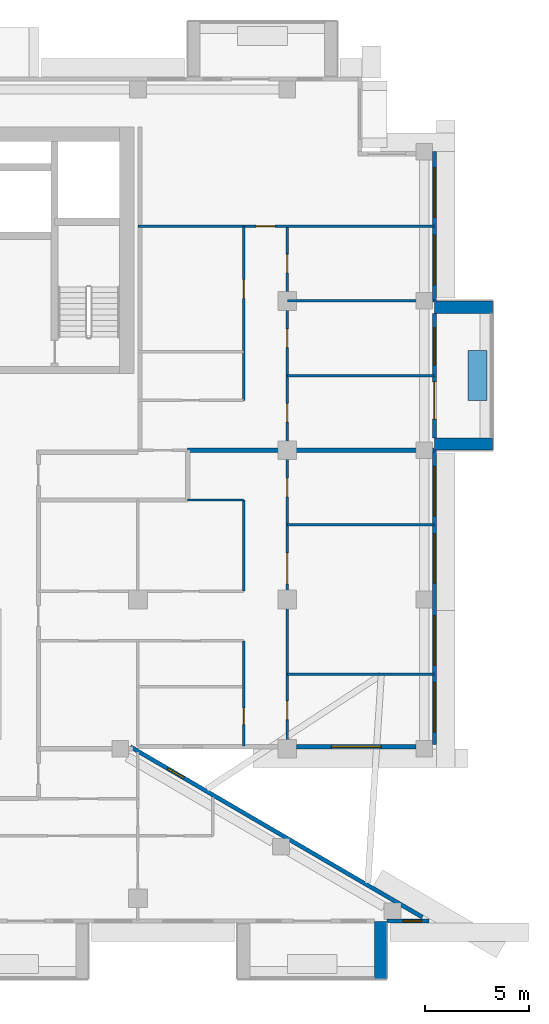
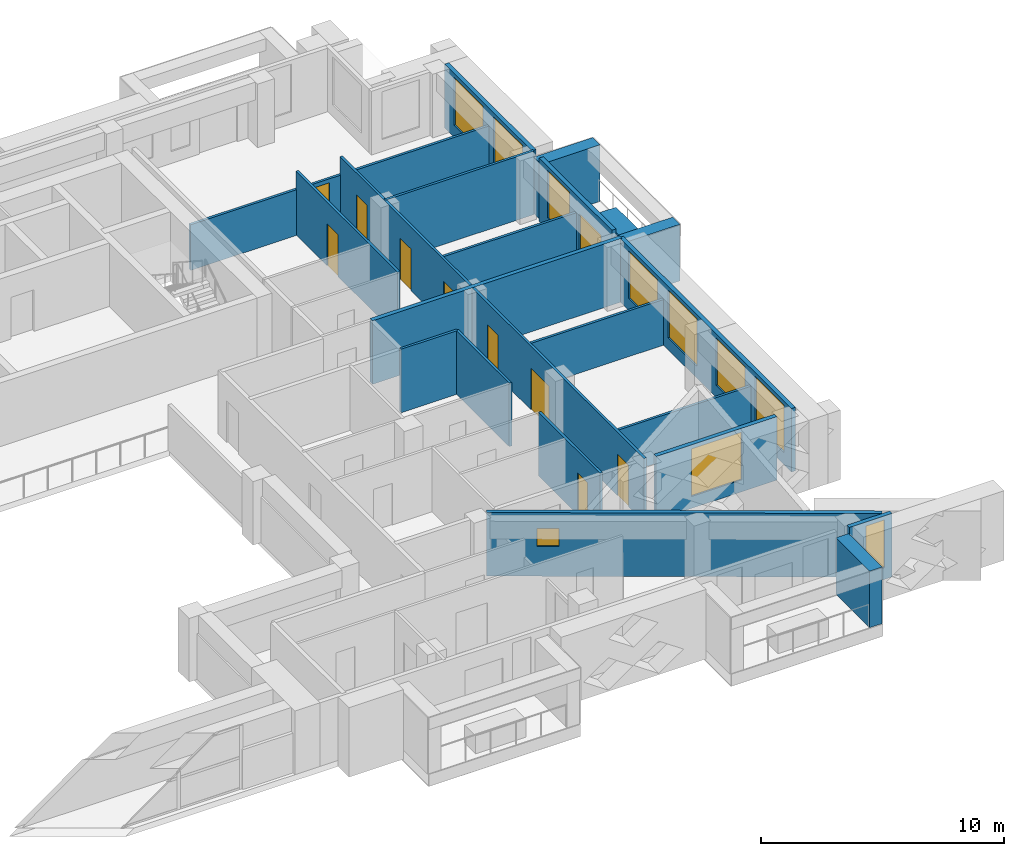
# One storey, part 12 of 20: 21 walls, 10 doors, 10 windows, 20 openings.
"""IFC4 building model written with IfcOpenShell, lengths in metres."""

from ifc_helpers import new_model, si_unit, direction, frame, frame_2d, origin, place, context, subcontext, project, spatial, rectangle, extrude, material, layer, layer_set, type_object, element, fill, save


model = new_model("IFC4")

# Units and contexts
model_context = context("Model", 3, precision=1e-05, world=origin(), true_north=direction((0.0, 1.0)))
body_context = subcontext(model_context, "Body", "Model", "MODEL_VIEW")
ifc_project = project(units=[si_unit("LENGTHUNIT", "METRE"), si_unit("AREAUNIT", "SQUARE_METRE"), si_unit("VOLUMEUNIT", "CUBIC_METRE"), si_unit("PLANEANGLEUNIT", "RADIAN"), si_unit("MASSUNIT", "GRAM", prefix="KILO")], contexts=[model_context])

# Site, building, storey
site_placement = place(None, origin())
site = spatial("IfcSite", under=ifc_project, at=site_placement, CompositionType="ELEMENT")
building_placement = place(site_placement, origin())
building = spatial("IfcBuilding", under=site, at=building_placement, Name="Saffron Iwan Residences", CompositionType="ELEMENT")
storey_placement = place(building_placement, frame((0.0, 0.0, 192.0)))
storey = spatial("IfcBuildingStorey", under=building, at=storey_placement, Name="L51", CompositionType="ELEMENT", Elevation=192.0)

# Walls
ifc_material_1 = material(Name="Concrete C50/60 white painted", Category="concrete")
ifc_layer_1 = layer(ifc_material_1, 0.60009765625)
ifc_layer_set_1 = layer_set([ifc_layer_1], Name="Concrete C50/60 white painted")
wall_type_1 = type_object("IfcWallType", Name="BALCONY FIN 600", PredefinedType="SOLIDWALL", material=ifc_layer_set_1)
for number, where, z_axis, x_axis, name in (
    (1, (86.300048828125, 62.699951171875, 0.0), (0.0, 0.0, 1.0), (1.0, 0.0, 0.0), "Balcony fin L51 F2-0a"),
    (2, (86.300048828125, 69.300048828125, 0.0), (0.0, 0.0, 1.0), (1.0, 0.0, 0.0), "Balcony fin L51 F2-0b"),
):
    element("IfcWall", number, at=place(storey_placement, frame(where, z_axis=z_axis, x_axis=x_axis)), inside=storey, type_object=wall_type_1, Name=name, PredefinedType="SOLIDWALL", context=body_context, shape_type="SweptSolid", body=[
        extrude(rectangle(XDim=2.800048828125, YDim=0.60009765625, at=frame_2d((1.39990234375, 0.0))), origin(), (0.0, 0.0, 1.0), 2.85009765625),
    ])
wall_1_placement = place(storey_placement, frame((83.699951171875, 39.67431640625, 0.0), z_axis=(0.0, 0.0, 1.0), x_axis=(0.0, -1.0, 0.0)))
element("IfcWall", 3, at=wall_1_placement, inside=storey, type_object=wall_type_1, Name="Balcony fin L51 11-3b", PredefinedType="SOLIDWALL", context=body_context, shape_type="SweptSolid", body=[
    extrude(rectangle(XDim=2.7744140625, YDim=0.60009765625, at=frame_2d((1.38720703125, 0.0))), origin(), (0.0, 0.0, 1.0), 2.85009765625),
])
ifc_material_2 = material(Name="Concrete C35/45 white painted", Category="concrete")
ifc_layer_2 = layer(ifc_material_2, 0.14990234375)
ifc_layer_set_2 = layer_set([ifc_layer_2], Name="Concrete C35/45 white painted")
wall_type_2 = type_object("IfcWallType", Name="BALCONY PLANTER", PredefinedType="SOLIDWALL", material=ifc_layer_set_2)
wall_2_placement = place(storey_placement, frame((88.375, 64.800048828125, 0.0), z_axis=(0.0, 0.0, 1.0), x_axis=(0.0, 1.0, 0.0)))
element("IfcWall", 4, at=wall_2_placement, inside=storey, type_object=wall_type_2, Name="PLANTER L51 F2-0", PredefinedType="SOLIDWALL", context=body_context, shape_type="SweptSolid", body=[
    extrude(rectangle(XDim=2.39990234375, YDim=0.89990234375, at=frame_2d((1.199951171875, 0.0))), origin(), (0.0, 0.0, 1.0), 0.89990234375),
])

# Wall, opening, window
ifc_material_3 = material(Name="Concrete C40/50", Category="concrete")
ifc_layer_3 = layer(ifc_material_3, 0.199951171875)
ifc_layer_set_3 = layer_set([ifc_layer_3], Name="Concrete C40/50")
wall_type_3 = type_object("IfcWallType", Name="EXTERNAL WALL 200", PredefinedType="SOLIDWALL", material=ifc_layer_set_3)
wall_3_placement = place(storey_placement, frame((85.71923828125, 39.88134765625, 0.0), z_axis=(0.0, 0.0, 1.0), x_axis=(-0.86377618652, 0.503875678716, 0.0)))
wall_3 = element("IfcWall", 5, at=wall_3_placement, inside=storey, type_object=wall_type_3, Name="External wall L51 F0.0", PredefinedType="SOLIDWALL", context=body_context, shape_type="SweptSolid", body=[
    extrude(rectangle(XDim=16.31103515625, YDim=0.199951171875, at=frame_2d((8.155517578125, 0.0))), origin(), (0.0, 0.0, 1.0), 3.199951171875),
])
opening_1_placement = place(wall_3_placement, frame((13.32568359375, 0.0, 1.5)))
opening_1 = element("IfcOpeningElement", 6, at=opening_1_placement, cuts=wall_3, Name="Opening W6", PredefinedType="OPENING", context=body_context, shape_type="SweptSolid", body=[
    extrude(rectangle(XDim=0.89990234375, YDim=0.89990234375, at=frame_2d((0.449951171875, 0.449951171875))), frame((0.0, 0.10986328125, 0.0), z_axis=(0.0, -1.0, 0.0), x_axis=(1.0, 0.0, 0.0)), (0.0, 0.0, 1.0), 0.219970703125),
])
ifc_material_4 = material(Name="Clear glass, laminated double glazed", Category="glass")
window_type_1 = type_object("IfcWindowType", Name="WINDOW 900 x 900 BATH", PartitioningType="SINGLE_PANEL", PredefinedType="WINDOW", material=ifc_material_4)
window_1_placement = place(opening_1_placement, origin())
window_1 = element("IfcWindow", 7, at=window_1_placement, inside=storey, type_object=window_type_1, Name="Window L51 F0.0", OverallHeight=0.89990234375, OverallWidth=0.89990234375, PartitioningType="SINGLE_PANEL", PredefinedType="WINDOW", context=body_context, shape_type="SweptSolid", body=[
    extrude(rectangle(XDim=0.89990234375, YDim=0.89990234375, at=frame_2d((0.449951171875, 0.449951171875))), frame((0.0, 0.030029296875, 0.0), z_axis=(0.0, -1.0, 0.0), x_axis=(1.0, 0.0, 0.0)), (0.0, 0.0, 1.0), 0.06005859375),
])
fill(opening_1, window_1)

wall_4_placement = place(storey_placement, frame((79.64990234375, 48.10009765625, 0.0), z_axis=(0.0, 0.0, 1.0), x_axis=(1.0, 0.0, 0.0)))
wall_4 = element("IfcWall", 8, at=wall_4_placement, inside=storey, type_object=wall_type_3, Name="External wall L51 F1.1", PredefinedType="SOLIDWALL", context=body_context, shape_type="SweptSolid", body=[
    extrude(rectangle(XDim=5.75, YDim=0.199951171875, at=frame_2d((2.875, 0.0))), origin(), (0.0, 0.0, 1.0), 3.199951171875),
])
opening_2_placement = place(wall_4_placement, frame((1.675048828125, 0.0, 0.60009765625)))
opening_2 = element("IfcOpeningElement", 9, at=opening_2_placement, cuts=wall_4, Name="Opening W1", PredefinedType="OPENING", context=body_context, shape_type="SweptSolid", body=[
    extrude(rectangle(XDim=2.39990234375, YDim=2.39990234375, at=frame_2d((1.199951171875, 1.199951171875))), frame((0.0, 0.10986328125, 0.0), z_axis=(0.0, -1.0, 0.0), x_axis=(1.0, 0.0, 0.0)), (0.0, 0.0, 1.0), 0.219970703125),
])
window_type_2 = type_object("IfcWindowType", Name="WINDOW 2400 x 2400", PartitioningType="DOUBLE_PANEL_VERTICAL", PredefinedType="WINDOW", material=ifc_material_4)
window_2_placement = place(opening_2_placement, origin())
window_2 = element("IfcWindow", 10, at=window_2_placement, inside=storey, type_object=window_type_2, Name="Window L51 F1.0", OverallHeight=2.39990234375, OverallWidth=2.39990234375, PartitioningType="DOUBLE_PANEL_VERTICAL", PredefinedType="WINDOW", context=body_context, shape_type="SweptSolid", body=[
    extrude(rectangle(XDim=2.39990234375, YDim=2.39990234375, at=frame_2d((1.199951171875, 1.199951171875))), frame((0.0, 0.030029296875, 0.0), z_axis=(0.0, -1.0, 0.0), x_axis=(1.0, 0.0, 0.0)), (0.0, 0.0, 1.0), 0.06005859375),
])
fill(opening_2, window_2)

# Wall, openings, windows
wall_5_placement = place(storey_placement, frame((86.300048828125, 48.199951171875, 0.0), z_axis=(0.0, 0.0, 1.0), x_axis=(0.0, 1.0, 0.0)))
wall_5 = element("IfcWall", 11, at=wall_5_placement, inside=storey, type_object=wall_type_3, Name="External wall L51 F2.0", PredefinedType="SOLIDWALL", context=body_context, shape_type="SweptSolid", body=[
    extrude(rectangle(XDim=14.199951171875, YDim=0.199951171875, at=frame_2d((7.10009765625, 0.0))), origin(), (0.0, 0.0, 1.0), 3.199951171875),
])
opening_3_placement = place(wall_5_placement, frame((0.60009765625, 0.0, 0.60009765625)))
opening_3 = element("IfcOpeningElement", 12, at=opening_3_placement, cuts=wall_5, Name="Opening W1", PredefinedType="OPENING", context=body_context, shape_type="SweptSolid", body=[
    extrude(rectangle(XDim=2.39990234375, YDim=2.39990234375, at=frame_2d((1.199951171875, 1.199951171875))), frame((0.0, 0.10986328125, 0.0), z_axis=(0.0, -1.0, 0.0), x_axis=(1.0, 0.0, 0.0)), (0.0, 0.0, 1.0), 0.219970703125),
])
opening_4_placement = place(wall_5_placement, frame((3.824951171875, 0.0, 0.60009765625)))
opening_4 = element("IfcOpeningElement", 13, at=opening_4_placement, cuts=wall_5, Name="Opening W1", PredefinedType="OPENING", context=body_context, shape_type="SweptSolid", body=[
    extrude(rectangle(XDim=2.39990234375, YDim=2.39990234375, at=frame_2d((1.199951171875, 1.199951171875))), frame((0.0, 0.10986328125, 0.0), z_axis=(0.0, -1.0, 0.0), x_axis=(1.0, 0.0, 0.0)), (0.0, 0.0, 1.0), 0.219970703125),
])
opening_5_placement = place(wall_5_placement, frame((7.77490234375, 0.0, 0.60009765625)))
opening_5 = element("IfcOpeningElement", 14, at=opening_5_placement, cuts=wall_5, Name="Opening W1", PredefinedType="OPENING", context=body_context, shape_type="SweptSolid", body=[
    extrude(rectangle(XDim=2.39990234375, YDim=2.39990234375, at=frame_2d((1.199951171875, 1.199951171875))), frame((0.0, 0.10986328125, 0.0), z_axis=(0.0, -1.0, 0.0), x_axis=(1.0, 0.0, 0.0)), (0.0, 0.0, 1.0), 0.219970703125),
])
opening_6_placement = place(wall_5_placement, frame((11.02490234375, 0.0, 0.60009765625)))
opening_6 = element("IfcOpeningElement", 15, at=opening_6_placement, cuts=wall_5, Name="Opening W1", PredefinedType="OPENING", context=body_context, shape_type="SweptSolid", body=[
    extrude(rectangle(XDim=2.39990234375, YDim=2.39990234375, at=frame_2d((1.199951171875, 1.199951171875))), frame((0.0, 0.10986328125, 0.0), z_axis=(0.0, -1.0, 0.0), x_axis=(1.0, 0.0, 0.0)), (0.0, 0.0, 1.0), 0.219970703125),
])
window_3_placement = place(opening_3_placement, origin())
window_3 = element("IfcWindow", 16, at=window_3_placement, inside=storey, type_object=window_type_2, Name="Window L51 F2.0", OverallHeight=2.39990234375, OverallWidth=2.39990234375, PartitioningType="DOUBLE_PANEL_VERTICAL", PredefinedType="WINDOW", context=body_context, shape_type="SweptSolid", body=[
    extrude(rectangle(XDim=2.39990234375, YDim=2.39990234375, at=frame_2d((1.199951171875, 1.199951171875))), frame((0.0, 0.030029296875, 0.0), z_axis=(0.0, -1.0, 0.0), x_axis=(1.0, 0.0, 0.0)), (0.0, 0.0, 1.0), 0.06005859375),
])
fill(opening_3, window_3)
window_4_placement = place(opening_4_placement, origin())
window_4 = element("IfcWindow", 17, at=window_4_placement, inside=storey, type_object=window_type_2, Name="Window L51 F2.1", OverallHeight=2.39990234375, OverallWidth=2.39990234375, PartitioningType="DOUBLE_PANEL_VERTICAL", PredefinedType="WINDOW", context=body_context, shape_type="SweptSolid", body=[
    extrude(rectangle(XDim=2.39990234375, YDim=2.39990234375, at=frame_2d((1.199951171875, 1.199951171875))), frame((0.0, 0.030029296875, 0.0), z_axis=(0.0, -1.0, 0.0), x_axis=(1.0, 0.0, 0.0)), (0.0, 0.0, 1.0), 0.06005859375),
])
fill(opening_4, window_4)
window_5_placement = place(opening_5_placement, origin())
window_5 = element("IfcWindow", 18, at=window_5_placement, inside=storey, type_object=window_type_2, Name="Window L51 F2.2", OverallHeight=2.39990234375, OverallWidth=2.39990234375, PartitioningType="DOUBLE_PANEL_VERTICAL", PredefinedType="WINDOW", context=body_context, shape_type="SweptSolid", body=[
    extrude(rectangle(XDim=2.39990234375, YDim=2.39990234375, at=frame_2d((1.199951171875, 1.199951171875))), frame((0.0, 0.030029296875, 0.0), z_axis=(0.0, -1.0, 0.0), x_axis=(1.0, 0.0, 0.0)), (0.0, 0.0, 1.0), 0.06005859375),
])
fill(opening_5, window_5)
window_6_placement = place(opening_6_placement, origin())
window_6 = element("IfcWindow", 19, at=window_6_placement, inside=storey, type_object=window_type_2, Name="Window L51 F2.3", OverallHeight=2.39990234375, OverallWidth=2.39990234375, PartitioningType="DOUBLE_PANEL_VERTICAL", PredefinedType="WINDOW", context=body_context, shape_type="SweptSolid", body=[
    extrude(rectangle(XDim=2.39990234375, YDim=2.39990234375, at=frame_2d((1.199951171875, 1.199951171875))), frame((0.0, 0.030029296875, 0.0), z_axis=(0.0, -1.0, 0.0), x_axis=(1.0, 0.0, 0.0)), (0.0, 0.0, 1.0), 0.06005859375),
])
fill(opening_6, window_6)

# Wall, openings, door, window
wall_6_placement = place(storey_placement, frame((86.300048828125, 63.0, 0.0), z_axis=(0.0, 0.0, 1.0), x_axis=(0.0, 1.0, 0.0)))
wall_6 = element("IfcWall", 20, at=wall_6_placement, inside=storey, type_object=wall_type_3, Name="External wall L51 F2.1", PredefinedType="SOLIDWALL", context=body_context, shape_type="SweptSolid", body=[
    extrude(rectangle(XDim=6.0, YDim=0.199951171875, at=frame_2d((3.0, 0.0))), origin(), (0.0, 0.0, 1.0), 3.199951171875),
])
opening_7_placement = place(wall_6_placement, frame((0.89990234375, 0.0, 0.0)))
opening_7 = element("IfcOpeningElement", 21, at=opening_7_placement, cuts=wall_6, Name="Opening BD1", PredefinedType="OPENING", context=body_context, shape_type="SweptSolid", body=[
    extrude(rectangle(XDim=1.800048828125, YDim=2.39990234375, at=frame_2d((0.89990234375, 1.199951171875))), frame((0.0, 0.10986328125, 0.0), z_axis=(0.0, -1.0, 0.0), x_axis=(1.0, 0.0, 0.0)), (0.0, 0.0, 1.0), 0.219970703125),
])
opening_8_placement = place(wall_6_placement, frame((3.5, 0.0, 0.60009765625)))
opening_8 = element("IfcOpeningElement", 22, at=opening_8_placement, cuts=wall_6, Name="Opening W8", PredefinedType="OPENING", context=body_context, shape_type="SweptSolid", body=[
    extrude(rectangle(XDim=1.800048828125, YDim=2.39990234375, at=frame_2d((0.89990234375, 1.199951171875))), frame((0.0, 0.10986328125, 0.0), z_axis=(0.0, -1.0, 0.0), x_axis=(1.0, 0.0, 0.0)), (0.0, 0.0, 1.0), 0.219970703125),
])
door_type_1 = type_object("IfcDoorType", Name="BALCONY DOOR 1800 x 2400", OperationType="DOUBLE_DOOR_SLIDING", PredefinedType="DOOR", material=ifc_material_4)
door_1_placement = place(opening_7_placement, origin())
door_1 = element("IfcDoor", 23, at=door_1_placement, inside=storey, type_object=door_type_1, Name="Balcony door L51 F2.0", OperationType="DOUBLE_DOOR_SLIDING", OverallHeight=2.39990234375, OverallWidth=1.800048828125, PredefinedType="DOOR", context=body_context, shape_type="SweptSolid", body=[
    extrude(rectangle(XDim=1.800048828125, YDim=2.39990234375, at=frame_2d((0.89990234375, 1.199951171875))), frame((0.0, 0.02490234375, 0.0), z_axis=(0.0, -1.0, 0.0), x_axis=(1.0, 0.0, 0.0)), (0.0, 0.0, 1.0), 0.050048828125),
])
fill(opening_7, door_1)
window_type_3 = type_object("IfcWindowType", Name="WINDOW 1800 x 2400", PartitioningType="DOUBLE_PANEL_VERTICAL", PredefinedType="WINDOW", material=ifc_material_4)
window_7_placement = place(opening_8_placement, origin())
window_7 = element("IfcWindow", 24, at=window_7_placement, inside=storey, type_object=window_type_3, Name="Window L51 F2.1", OverallHeight=2.39990234375, OverallWidth=1.800048828125, PartitioningType="DOUBLE_PANEL_VERTICAL", PredefinedType="WINDOW", context=body_context, shape_type="SweptSolid", body=[
    extrude(rectangle(XDim=1.800048828125, YDim=2.39990234375, at=frame_2d((0.89990234375, 1.199951171875))), frame((0.0, 0.030029296875, 0.0), z_axis=(0.0, -1.0, 0.0), x_axis=(1.0, 0.0, 0.0)), (0.0, 0.0, 1.0), 0.06005859375),
])
fill(opening_8, window_7)

# Wall, openings, windows
wall_7_placement = place(storey_placement, frame((86.300048828125, 69.60009765625, 0.0), z_axis=(0.0, 0.0, 1.0), x_axis=(0.0, 1.0, 0.0)))
wall_7 = element("IfcWall", 25, at=wall_7_placement, inside=storey, type_object=wall_type_3, Name="External wall L51 F2.2", PredefinedType="SOLIDWALL", context=body_context, shape_type="SweptSolid", body=[
    extrude(rectangle(XDim=7.199951171875, YDim=0.199951171875, at=frame_2d((3.60009765625, 0.0))), origin(), (0.0, 0.0, 1.0), 3.199951171875),
])
opening_9_placement = place(wall_7_placement, frame((0.77490234375, 0.0, 0.60009765625)))
opening_9 = element("IfcOpeningElement", 26, at=opening_9_placement, cuts=wall_7, Name="Opening W1", PredefinedType="OPENING", context=body_context, shape_type="SweptSolid", body=[
    extrude(rectangle(XDim=2.39990234375, YDim=2.39990234375, at=frame_2d((1.199951171875, 1.199951171875))), frame((0.0, 0.10986328125, 0.0), z_axis=(0.0, -1.0, 0.0), x_axis=(1.0, 0.0, 0.0)), (0.0, 0.0, 1.0), 0.219970703125),
])
opening_10_placement = place(wall_7_placement, frame((4.02490234375, 0.0, 0.60009765625)))
opening_10 = element("IfcOpeningElement", 27, at=opening_10_placement, cuts=wall_7, Name="Opening W1", PredefinedType="OPENING", context=body_context, shape_type="SweptSolid", body=[
    extrude(rectangle(XDim=2.39990234375, YDim=2.39990234375, at=frame_2d((1.199951171875, 1.199951171875))), frame((0.0, 0.10986328125, 0.0), z_axis=(0.0, -1.0, 0.0), x_axis=(1.0, 0.0, 0.0)), (0.0, 0.0, 1.0), 0.219970703125),
])
window_8_placement = place(opening_9_placement, origin())
window_8 = element("IfcWindow", 28, at=window_8_placement, inside=storey, type_object=window_type_2, Name="Window L51 F2.0", OverallHeight=2.39990234375, OverallWidth=2.39990234375, PartitioningType="DOUBLE_PANEL_VERTICAL", PredefinedType="WINDOW", context=body_context, shape_type="SweptSolid", body=[
    extrude(rectangle(XDim=2.39990234375, YDim=2.39990234375, at=frame_2d((1.199951171875, 1.199951171875))), frame((0.0, 0.030029296875, 0.0), z_axis=(0.0, -1.0, 0.0), x_axis=(1.0, 0.0, 0.0)), (0.0, 0.0, 1.0), 0.06005859375),
])
fill(opening_9, window_8)
window_9_placement = place(opening_10_placement, origin())
window_9 = element("IfcWindow", 29, at=window_9_placement, inside=storey, type_object=window_type_2, Name="Window L51 F2.1", OverallHeight=2.39990234375, OverallWidth=2.39990234375, PartitioningType="DOUBLE_PANEL_VERTICAL", PredefinedType="WINDOW", context=body_context, shape_type="SweptSolid", body=[
    extrude(rectangle(XDim=2.39990234375, YDim=2.39990234375, at=frame_2d((1.199951171875, 1.199951171875))), frame((0.0, 0.030029296875, 0.0), z_axis=(0.0, -1.0, 0.0), x_axis=(1.0, 0.0, 0.0)), (0.0, 0.0, 1.0), 0.06005859375),
])
fill(opening_10, window_9)

# Wall, opening, window
wall_8_placement = place(storey_placement, frame((84.0, 39.699951171875, 0.0), z_axis=(0.0, 0.0, 1.0), x_axis=(1.0, 0.0, 0.0)))
wall_8 = element("IfcWall", 30, at=wall_8_placement, inside=storey, type_object=wall_type_3, Name="External wall L51 F11.2", PredefinedType="SOLIDWALL", context=body_context, shape_type="SweptSolid", body=[
    extrude(rectangle(XDim=2.030029296875, YDim=0.199951171875, at=frame_2d((1.01513671875, 0.0))), origin(), (0.0, 0.0, 1.0), 3.199951171875),
])
opening_11_placement = place(wall_8_placement, frame((0.7783203125, 0.0, 0.60009765625)))
opening_11 = element("IfcOpeningElement", 31, at=opening_11_placement, cuts=wall_8, Name="Opening W10", PredefinedType="OPENING", context=body_context, shape_type="SweptSolid", body=[
    extrude(rectangle(XDim=0.89990234375, YDim=2.39990234375, at=frame_2d((0.449951171875, 1.199951171875))), frame((0.0, 0.10986328125, 0.0), z_axis=(0.0, -1.0, 0.0), x_axis=(1.0, 0.0, 0.0)), (0.0, 0.0, 1.0), 0.219970703125),
])
window_type_4 = type_object("IfcWindowType", Name="WINDOW 900 x 2400", PartitioningType="SINGLE_PANEL", PredefinedType="WINDOW", material=ifc_material_4)
window_10_placement = place(opening_11_placement, origin())
window_10 = element("IfcWindow", 32, at=window_10_placement, inside=storey, type_object=window_type_4, Name="Window L51 F11.0", OverallHeight=2.39990234375, OverallWidth=0.89990234375, PartitioningType="SINGLE_PANEL", PredefinedType="WINDOW", context=body_context, shape_type="SweptSolid", body=[
    extrude(rectangle(XDim=0.89990234375, YDim=2.39990234375, at=frame_2d((0.449951171875, 1.199951171875))), frame((0.0, 0.030029296875, 0.0), z_axis=(0.0, -1.0, 0.0), x_axis=(1.0, 0.0, 0.0)), (0.0, 0.0, 1.0), 0.06005859375),
])
fill(opening_11, window_10)

# Walls
ifc_material_5 = material(Name="Fire-rated gypsum board wall")
ifc_layer_4 = layer(ifc_material_5, 0.199951171875)
ifc_layer_set_4 = layer_set([ifc_layer_4], Name="Fire-rated gypsum board wall")
wall_type_4 = type_object("IfcWallType", Name="Flat demising wall 200", PredefinedType="SOLIDWALL", material=ifc_layer_set_4)
wall_9_placement = place(storey_placement, frame((74.39990234375, 62.39990234375, 0.0), z_axis=(0.0, 0.0, 1.0), x_axis=(1.0, 0.0, 0.0)))
element("IfcWall", 33, at=wall_9_placement, inside=storey, type_object=wall_type_4, Name="W-L51-DEMISE-h62.4-74.4", PredefinedType="SOLIDWALL", context=body_context, shape_type="SweptSolid", body=[
    extrude(rectangle(XDim=11.875, YDim=0.199951171875, at=frame_2d((5.9375, 0.0))), origin(), (0.0, 0.0, 1.0), 3.199951171875),
])
ifc_material_6 = material(Name="Gypsum board partition")
ifc_layer_5 = layer(ifc_material_6, 0.1201171875)
ifc_layer_set_5 = layer_set([ifc_layer_5], Name="Gypsum board partition")
wall_type_5 = type_object("IfcWallType", Name="Flat partition 120", PredefinedType="PARTITIONING", material=ifc_layer_set_5)
for number, where, z_axis, x_axis, name in (
    (34, (79.199951171875, 51.60009765625, 0.0), (0.0, 0.0, 1.0), (1.0, 0.0, 0.0), "W-L51-PART-h51.6-79.2"),
    (35, (79.199951171875, 58.800048828125, 0.0), (0.0, 0.0, 1.0), (1.0, 0.0, 0.0), "W-L51-PART-h58.8-79.2"),
):
    element("IfcWall", number, at=place(storey_placement, frame(where, z_axis=z_axis, x_axis=x_axis)), inside=storey, type_object=wall_type_5, Name=name, PredefinedType="PARTITIONING", context=body_context, shape_type="SweptSolid", body=[
        extrude(rectangle(XDim=7.074951171875, YDim=0.1201171875, at=frame_2d((3.53759765625, 0.0))), origin(), (0.0, 0.0, 1.0), 2.300048828125),
    ])
wall_10_placement = place(storey_placement, frame((74.39990234375, 60.0, 0.0), z_axis=(0.0, 0.0, 1.0), x_axis=(1.0, 0.0, 0.0)))
element("IfcWall", 36, at=wall_10_placement, inside=storey, type_object=wall_type_5, Name="W-L51-PART-h60-74.4", PredefinedType="PARTITIONING", context=body_context, shape_type="SweptSolid", body=[
    extrude(rectangle(XDim=2.7001953125, YDim=0.1201171875, at=frame_2d((1.35009765625, 0.0))), origin(), (0.0, 0.0, 1.0), 3.199951171875),
])
wall_11_placement = place(storey_placement, frame((79.199951171875, 66.0, 0.0), z_axis=(0.0, 0.0, 1.0), x_axis=(1.0, 0.0, 0.0)))
element("IfcWall", 37, at=wall_11_placement, inside=storey, type_object=wall_type_5, Name="W-L51-PART-h66-79.2", PredefinedType="PARTITIONING", context=body_context, shape_type="SweptSolid", body=[
    extrude(rectangle(XDim=7.074951171875, YDim=0.1201171875, at=frame_2d((3.53759765625, 0.0))), origin(), (0.0, 0.0, 1.0), 2.300048828125),
])
wall_12_placement = place(storey_placement, frame((79.199951171875, 69.60009765625, 0.0), z_axis=(0.0, 0.0, 1.0), x_axis=(1.0, 0.0, 0.0)))
element("IfcWall", 38, at=wall_12_placement, inside=storey, type_object=wall_type_5, Name="W-L51-PART-h69.6-79.2", PredefinedType="PARTITIONING", context=body_context, shape_type="SweptSolid", body=[
    extrude(rectangle(XDim=7.074951171875, YDim=0.1201171875, at=frame_2d((3.53759765625, 0.0))), origin(), (0.0, 0.0, 1.0), 3.199951171875),
])

# Wall, opening, door
wall_13_placement = place(storey_placement, frame((72.0, 73.199951171875, 0.0), z_axis=(0.0, 0.0, 1.0), x_axis=(1.0, 0.0, 0.0)))
wall_13 = element("IfcWall", 39, at=wall_13_placement, inside=storey, type_object=wall_type_5, Name="W-L51-PART-h73.2-72", PredefinedType="PARTITIONING", context=body_context, shape_type="SweptSolid", body=[
    extrude(rectangle(XDim=14.27490234375, YDim=0.1201171875, at=frame_2d((7.137451171875, 0.0))), origin(), (0.0, 0.0, 1.0), 2.300048828125),
])
opening_12_placement = place(wall_13_placement, frame((5.699951171875, 0.0, 0.0)))
opening_12 = element("IfcOpeningElement", 40, at=opening_12_placement, cuts=wall_13, Name="Opening FD2", PredefinedType="OPENING", context=body_context, shape_type="SweptSolid", body=[
    extrude(rectangle(XDim=0.89990234375, YDim=2.10009765625, at=frame_2d((0.449951171875, 1.050048828125))), frame((0.0, 0.070068359375, 0.0), z_axis=(0.0, -1.0, 0.0), x_axis=(1.0, 0.0, 0.0)), (0.0, 0.0, 1.0), 0.14013671875),
])
ifc_material_7 = material(Name="Timber door", Category="wood")
door_type_2 = type_object("IfcDoorType", Name="Flat door 900", OperationType="NOTDEFINED", PredefinedType="DOOR", material=ifc_material_7)
door_2_placement = place(opening_12_placement, origin())
door_2 = element("IfcDoor", 41, at=door_2_placement, inside=storey, type_object=door_type_2, Name="Door L51-039", OperationType="SINGLE_SWING_LEFT", OverallHeight=2.10009765625, OverallWidth=0.89990234375, PredefinedType="DOOR", context=body_context, shape_type="SweptSolid", body=[
    extrude(rectangle(XDim=0.89990234375, YDim=2.10009765625, at=frame_2d((0.449951171875, 1.050048828125))), frame((0.0, 0.02490234375, 0.0), z_axis=(0.0, -1.0, 0.0), x_axis=(1.0, 0.0, 0.0)), (0.0, 0.0, 1.0), 0.050048828125),
])
fill(opening_12, door_2)

wall_14_placement = place(storey_placement, frame((77.10009765625, 48.125, 0.0), z_axis=(0.0, 0.0, 1.0), x_axis=(0.0, 1.0, 0.0)))
wall_14 = element("IfcWall", 42, at=wall_14_placement, inside=storey, type_object=wall_type_5, Name="W-L51-PART-v77.1-48.125", PredefinedType="PARTITIONING", context=body_context, shape_type="SweptSolid", body=[
    extrude(rectangle(XDim=5.074951171875, YDim=0.1201171875, at=frame_2d((2.53759765625, 0.0))), origin(), (0.0, 0.0, 1.0), 3.199951171875),
])
opening_13_placement = place(wall_14_placement, frame((1.03759765625, 0.0, 0.0)))
opening_13 = element("IfcOpeningElement", 43, at=opening_13_placement, cuts=wall_14, Name="Opening FD3", PredefinedType="OPENING", context=body_context, shape_type="SweptSolid", body=[
    extrude(rectangle(XDim=0.800048828125, YDim=2.10009765625, at=frame_2d((0.39990234375, 1.050048828125))), frame((0.0, 0.070068359375, 0.0), z_axis=(0.0, -1.0, 0.0), x_axis=(1.0, 0.0, 0.0)), (0.0, 0.0, 1.0), 0.14013671875),
])
door_type_3 = type_object("IfcDoorType", Name="Bathroom door 800", OperationType="NOTDEFINED", PredefinedType="DOOR", material=ifc_material_7)
door_3_placement = place(opening_13_placement, origin())
door_3 = element("IfcDoor", 44, at=door_3_placement, inside=storey, type_object=door_type_3, Name="Door L51-019", OperationType="SINGLE_SWING_RIGHT", OverallHeight=2.10009765625, OverallWidth=0.800048828125, PredefinedType="DOOR", context=body_context, shape_type="SweptSolid", body=[
    extrude(rectangle(XDim=0.800048828125, YDim=2.10009765625, at=frame_2d((0.39990234375, 1.050048828125))), frame((0.0, 0.02490234375, 0.0), z_axis=(0.0, -1.0, 0.0), x_axis=(1.0, 0.0, 0.0)), (0.0, 0.0, 1.0), 0.050048828125),
])
fill(opening_13, door_3)

# Wall
wall_15_placement = place(storey_placement, frame((77.10009765625, 55.60009765625, 0.0), z_axis=(0.0, 0.0, 1.0), x_axis=(0.0, 1.0, 0.0)))
element("IfcWall", 45, at=wall_15_placement, inside=storey, type_object=wall_type_5, Name="W-L51-PART-v77.1-55.6", PredefinedType="PARTITIONING", context=body_context, shape_type="SweptSolid", body=[
    extrude(rectangle(XDim=4.39990234375, YDim=0.1201171875, at=frame_2d((2.199951171875, 0.0))), origin(), (0.0, 0.0, 1.0), 3.199951171875),
])

# Wall, opening, door
wall_16_placement = place(storey_placement, frame((77.10009765625, 64.800048828125, 0.0), z_axis=(0.0, 0.0, 1.0), x_axis=(0.0, 1.0, 0.0)))
wall_16 = element("IfcWall", 46, at=wall_16_placement, inside=storey, type_object=wall_type_5, Name="W-L51-PART-v77.1-64.8", PredefinedType="PARTITIONING", context=body_context, shape_type="SweptSolid", body=[
    extrude(rectangle(XDim=8.39990234375, YDim=0.1201171875, at=frame_2d((4.199951171875, 0.0))), origin(), (0.0, 0.0, 1.0), 3.199951171875),
])
opening_14_placement = place(wall_16_placement, frame((4.925048828125, 0.0, 0.0)))
opening_14 = element("IfcOpeningElement", 47, at=opening_14_placement, cuts=wall_16, Name="Opening FD2", PredefinedType="OPENING", context=body_context, shape_type="SweptSolid", body=[
    extrude(rectangle(XDim=0.89990234375, YDim=2.10009765625, at=frame_2d((0.449951171875, 1.050048828125))), frame((0.0, 0.070068359375, 0.0), z_axis=(0.0, -1.0, 0.0), x_axis=(1.0, 0.0, 0.0)), (0.0, 0.0, 1.0), 0.14013671875),
])
door_4_placement = place(opening_14_placement, origin())
door_4 = element("IfcDoor", 48, at=door_4_placement, inside=storey, type_object=door_type_2, Name="Door L51-041", OperationType="SINGLE_SWING_LEFT", OverallHeight=2.10009765625, OverallWidth=0.89990234375, PredefinedType="DOOR", context=body_context, shape_type="SweptSolid", body=[
    extrude(rectangle(XDim=0.89990234375, YDim=2.10009765625, at=frame_2d((0.449951171875, 1.050048828125))), frame((0.0, 0.02490234375, 0.0), z_axis=(0.0, -1.0, 0.0), x_axis=(1.0, 0.0, 0.0)), (0.0, 0.0, 1.0), 0.050048828125),
])
fill(opening_14, door_4)

# Wall, openings, doors
wall_17_placement = place(storey_placement, frame((79.199951171875, 48.125, 0.0), z_axis=(0.0, 0.0, 1.0), x_axis=(0.0, 1.0, 0.0)))
wall_17 = element("IfcWall", 49, at=wall_17_placement, inside=storey, type_object=wall_type_5, Name="W-L51-PART-v79.2-48.125", PredefinedType="PARTITIONING", context=body_context, shape_type="SweptSolid", body=[
    extrude(rectangle(XDim=25.074951171875, YDim=0.1201171875, at=frame_2d((12.53759765625, 0.0))), origin(), (0.0, 0.0, 1.0), 3.199951171875),
])
opening_15_placement = place(wall_17_placement, frame((1.28759765625, 0.0, 0.0)))
opening_15 = element("IfcOpeningElement", 50, at=opening_15_placement, cuts=wall_17, Name="Opening FD2", PredefinedType="OPENING", context=body_context, shape_type="SweptSolid", body=[
    extrude(rectangle(XDim=0.89990234375, YDim=2.10009765625, at=frame_2d((0.449951171875, 1.050048828125))), frame((0.0, 0.070068359375, 0.0), z_axis=(0.0, -1.0, 0.0), x_axis=(1.0, 0.0, 0.0)), (0.0, 0.0, 1.0), 0.14013671875),
])
opening_16_placement = place(wall_17_placement, frame((7.824951171875, 0.0, 0.0)))
opening_16 = element("IfcOpeningElement", 51, at=opening_16_placement, cuts=wall_17, Name="Opening FD4", PredefinedType="OPENING", context=body_context, shape_type="SweptSolid", body=[
    extrude(rectangle(XDim=1.5, YDim=2.10009765625, at=frame_2d((0.75, 1.050048828125))), frame((0.0, 0.070068359375, 0.0), z_axis=(0.0, -1.0, 0.0), x_axis=(1.0, 0.0, 0.0)), (0.0, 0.0, 1.0), 0.14013671875),
])
opening_17_placement = place(wall_17_placement, frame((12.02490234375, 0.0, 0.0)))
opening_17 = element("IfcOpeningElement", 52, at=opening_17_placement, cuts=wall_17, Name="Opening FD2", PredefinedType="OPENING", context=body_context, shape_type="SweptSolid", body=[
    extrude(rectangle(XDim=0.89990234375, YDim=2.10009765625, at=frame_2d((0.449951171875, 1.050048828125))), frame((0.0, 0.070068359375, 0.0), z_axis=(0.0, -1.0, 0.0), x_axis=(1.0, 0.0, 0.0)), (0.0, 0.0, 1.0), 0.14013671875),
])
opening_18_placement = place(wall_17_placement, frame((15.625, 0.0, 0.0)))
opening_18 = element("IfcOpeningElement", 53, at=opening_18_placement, cuts=wall_17, Name="Opening FD2", PredefinedType="OPENING", context=body_context, shape_type="SweptSolid", body=[
    extrude(rectangle(XDim=0.89990234375, YDim=2.10009765625, at=frame_2d((0.449951171875, 1.050048828125))), frame((0.0, 0.070068359375, 0.0), z_axis=(0.0, -1.0, 0.0), x_axis=(1.0, 0.0, 0.0)), (0.0, 0.0, 1.0), 0.14013671875),
])
opening_19_placement = place(wall_17_placement, frame((19.22509765625, 0.0, 0.0)))
opening_19 = element("IfcOpeningElement", 54, at=opening_19_placement, cuts=wall_17, Name="Opening FD2", PredefinedType="OPENING", context=body_context, shape_type="SweptSolid", body=[
    extrude(rectangle(XDim=0.89990234375, YDim=2.10009765625, at=frame_2d((0.449951171875, 1.050048828125))), frame((0.0, 0.070068359375, 0.0), z_axis=(0.0, -1.0, 0.0), x_axis=(1.0, 0.0, 0.0)), (0.0, 0.0, 1.0), 0.14013671875),
])
opening_20_placement = place(wall_17_placement, frame((22.824951171875, 0.0, 0.0)))
opening_20 = element("IfcOpeningElement", 55, at=opening_20_placement, cuts=wall_17, Name="Opening FD2", PredefinedType="OPENING", context=body_context, shape_type="SweptSolid", body=[
    extrude(rectangle(XDim=0.89990234375, YDim=2.10009765625, at=frame_2d((0.449951171875, 1.050048828125))), frame((0.0, 0.070068359375, 0.0), z_axis=(0.0, -1.0, 0.0), x_axis=(1.0, 0.0, 0.0)), (0.0, 0.0, 1.0), 0.14013671875),
])
door_type_4 = type_object("IfcDoorType", Name="Double door 1500", OperationType="NOTDEFINED", PredefinedType="DOOR", material=ifc_material_7)
door_5_placement = place(opening_16_placement, origin())
door_5 = element("IfcDoor", 56, at=door_5_placement, inside=storey, type_object=door_type_4, Name="Door L51-017", OperationType="SINGLE_SWING_RIGHT", OverallHeight=2.10009765625, OverallWidth=1.5, PredefinedType="DOOR", context=body_context, shape_type="SweptSolid", body=[
    extrude(rectangle(XDim=1.5, YDim=2.10009765625, at=frame_2d((0.75, 1.050048828125))), frame((0.0, 0.02490234375, 0.0), z_axis=(0.0, -1.0, 0.0), x_axis=(1.0, 0.0, 0.0)), (0.0, 0.0, 1.0), 0.050048828125),
])
fill(opening_16, door_5)
door_6_placement = place(opening_15_placement, origin())
door_6 = element("IfcDoor", 57, at=door_6_placement, inside=storey, type_object=door_type_2, Name="Door L51-016", OperationType="SINGLE_SWING_RIGHT", OverallHeight=2.10009765625, OverallWidth=0.89990234375, PredefinedType="DOOR", context=body_context, shape_type="SweptSolid", body=[
    extrude(rectangle(XDim=0.89990234375, YDim=2.10009765625, at=frame_2d((0.449951171875, 1.050048828125))), frame((0.0, 0.02490234375, 0.0), z_axis=(0.0, -1.0, 0.0), x_axis=(1.0, 0.0, 0.0)), (0.0, 0.0, 1.0), 0.050048828125),
])
fill(opening_15, door_6)
door_7_placement = place(opening_17_placement, origin())
door_7 = element("IfcDoor", 58, at=door_7_placement, inside=storey, type_object=door_type_2, Name="Door L51-018", OperationType="SINGLE_SWING_LEFT", OverallHeight=2.10009765625, OverallWidth=0.89990234375, PredefinedType="DOOR", context=body_context, shape_type="SweptSolid", body=[
    extrude(rectangle(XDim=0.89990234375, YDim=2.10009765625, at=frame_2d((0.449951171875, 1.050048828125))), frame((0.0, 0.02490234375, 0.0), z_axis=(0.0, -1.0, 0.0), x_axis=(1.0, 0.0, 0.0)), (0.0, 0.0, 1.0), 0.050048828125),
])
fill(opening_17, door_7)
door_8_placement = place(opening_18_placement, origin())
door_8 = element("IfcDoor", 59, at=door_8_placement, inside=storey, type_object=door_type_2, Name="Door L51-036", OperationType="SINGLE_SWING_LEFT", OverallHeight=2.10009765625, OverallWidth=0.89990234375, PredefinedType="DOOR", context=body_context, shape_type="SweptSolid", body=[
    extrude(rectangle(XDim=0.89990234375, YDim=2.10009765625, at=frame_2d((0.449951171875, 1.050048828125))), frame((0.0, 0.02490234375, 0.0), z_axis=(0.0, -1.0, 0.0), x_axis=(1.0, 0.0, 0.0)), (0.0, 0.0, 1.0), 0.050048828125),
])
fill(opening_18, door_8)
door_9_placement = place(opening_19_placement, origin())
door_9 = element("IfcDoor", 60, at=door_9_placement, inside=storey, type_object=door_type_2, Name="Door L51-037", OperationType="SINGLE_SWING_RIGHT", OverallHeight=2.10009765625, OverallWidth=0.89990234375, PredefinedType="DOOR", context=body_context, shape_type="SweptSolid", body=[
    extrude(rectangle(XDim=0.89990234375, YDim=2.10009765625, at=frame_2d((0.449951171875, 1.050048828125))), frame((0.0, 0.02490234375, 0.0), z_axis=(0.0, -1.0, 0.0), x_axis=(1.0, 0.0, 0.0)), (0.0, 0.0, 1.0), 0.050048828125),
])
fill(opening_19, door_9)
door_10_placement = place(opening_20_placement, origin())
door_10 = element("IfcDoor", 61, at=door_10_placement, inside=storey, type_object=door_type_2, Name="Door L51-038", OperationType="SINGLE_SWING_LEFT", OverallHeight=2.10009765625, OverallWidth=0.89990234375, PredefinedType="DOOR", context=body_context, shape_type="SweptSolid", body=[
    extrude(rectangle(XDim=0.89990234375, YDim=2.10009765625, at=frame_2d((0.449951171875, 1.050048828125))), frame((0.0, 0.02490234375, 0.0), z_axis=(0.0, -1.0, 0.0), x_axis=(1.0, 0.0, 0.0)), (0.0, 0.0, 1.0), 0.050048828125),
])
fill(opening_20, door_10)

save(model, "model.ifc")
